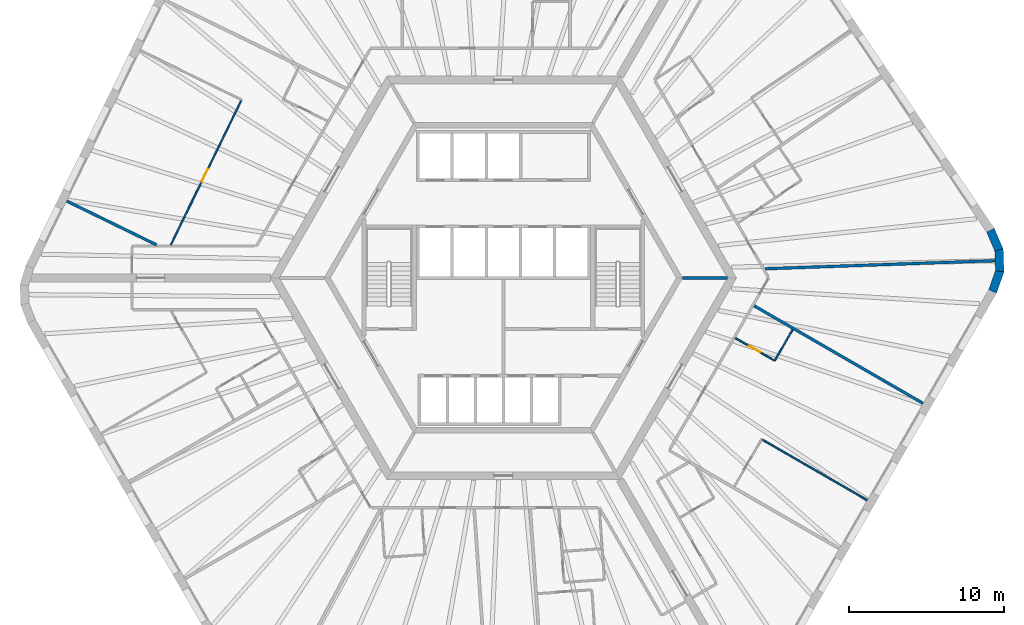
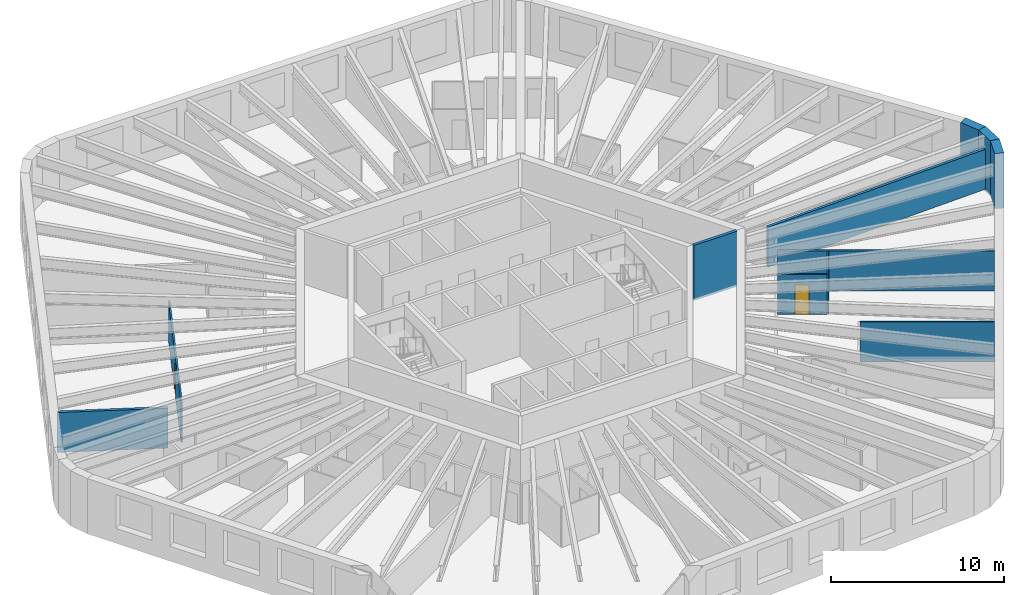
# One storey, part 6 of 10: 11 walls, 2 doors, 2 openings.
"""IFC4 building model written with IfcOpenShell, lengths in metres."""

import ifcopenshell
import ifcopenshell.guid

model = None  # the IFC model being written
_history = None  # IfcOwnerHistory: only IFC2X3 demands one
_inside = {}  # id of a spatial element -> (the spatial element, [elements in it])
_under = {}  # id of a project, library or spatial element -> (it, [spatial elements below it])
_declared = {}  # id of a project -> (the project, [libraries it declares])
_typed = {}  # id of a type object -> (the type object, [elements of that type])
_made_of = {}  # id of a material, layer set ... -> (it, [elements and type objects made of it])


def new_model(schema):
    """Start an empty IFC model of exactly this schema.

    Asked for "IFC4X3", IfcOpenShell would pick the latest addendum, in which some entities
    have other attributes; the version numbers below select the first issue.
    IFC2X3 requires an IfcOwnerHistory on every rooted entity: one is made here for all.
    """
    global model, _history
    if schema == "IFC4X3":
        model = ifcopenshell.file(schema_version=(4, 3, 0, 0))
    else:
        model = ifcopenshell.file(schema=schema)
    _inside.clear()
    _under.clear()
    _declared.clear()
    _typed.clear()
    _made_of.clear()
    _history = None
    if model.schema == "IFC2X3":
        org = make("IfcOrganization", Name="unknown")
        user = make(
            "IfcPersonAndOrganization",
            ThePerson=make("IfcPerson", FamilyName="unknown"),
            TheOrganization=org,
        )
        app = make(
            "IfcApplication",
            ApplicationDeveloper=org,
            Version="unknown",
            ApplicationFullName="unknown",
            ApplicationIdentifier="unknown",
        )
        _history = make(
            "IfcOwnerHistory",
            OwningUser=user,
            OwningApplication=app,
            ChangeAction="ADDED",
            CreationDate=0,
        )
    return model


def make(cls, **values):
    """One entity of the class cls with the attributes given. An attribute that is None is left unset."""
    return model.create_entity(
        cls, **{name: value for name, value in values.items() if value is not None}
    )


def rooted(cls, **values):
    """An entity with a GlobalId (a new one), such as an element, a storey or a relation."""
    return make(cls, GlobalId=ifcopenshell.guid.new(), OwnerHistory=_history, **values)


def si_unit(unit_type, name, prefix=None):
    """IfcSIUnit, for example si_unit("LENGTHUNIT", "METRE", prefix="MILLI")."""
    return make("IfcSIUnit", UnitType=unit_type, Prefix=prefix, Name=name)


def assignment(units):
    """IfcUnitAssignment: the units of a project."""
    return None if units is None else make("IfcUnitAssignment", Units=units)


def point(xyz):
    """IfcCartesianPoint."""
    return None if xyz is None else make("IfcCartesianPoint", Coordinates=xyz)


def direction(xyz):
    """IfcDirection."""
    return None if xyz is None else make("IfcDirection", DirectionRatios=xyz)


def frame(location, z_axis=None, x_axis=None):
    """IfcAxis2Placement3D, a coordinate frame: its origin and axes. An axis left out is left unset."""
    return make(
        "IfcAxis2Placement3D",
        Location=point(location),
        Axis=direction(z_axis),
        RefDirection=direction(x_axis),
    )


def frame_2d(location, x_axis=None):
    """IfcAxis2Placement2D, a coordinate frame in the plane: its origin and x axis."""
    return make(
        "IfcAxis2Placement2D", Location=point(location), RefDirection=direction(x_axis)
    )


def origin():
    """The frame at (0, 0, 0) with its axes left unset."""
    return frame((0.0, 0.0, 0.0))


def place(relative_to, where):
    """IfcLocalPlacement: puts the frame where relative to a parent placement (None: the world)."""
    return make(
        "IfcLocalPlacement", PlacementRelTo=relative_to, RelativePlacement=where
    )


def context(
    kind, dimensions, precision=None, world=None, true_north=None, identifier=None
):
    """IfcGeometricRepresentationContext, for example the 3D "Model" context."""
    return make(
        "IfcGeometricRepresentationContext",
        ContextIdentifier=identifier,
        ContextType=kind,
        CoordinateSpaceDimension=dimensions,
        Precision=precision,
        WorldCoordinateSystem=world,
        TrueNorth=true_north,
    )


def subcontext(parent, identifier, kind, view, scale=None):
    """IfcGeometricRepresentationSubContext, for example "Body" below "Model"."""
    return make(
        "IfcGeometricRepresentationSubContext",
        ContextIdentifier=identifier,
        ContextType=kind,
        ParentContext=parent,
        TargetScale=scale,
        TargetView=view,
    )


def project(units=None, contexts=None):
    """IfcProject with its units and contexts."""
    return rooted(
        "IfcProject",
        Name="project",
        RepresentationContexts=contexts,
        UnitsInContext=assignment(units),
    )


def spatial(cls, under=None, at=None, **own):
    """A site, building, storey or space (cls), placed at a placement, below another one or the project."""
    s = rooted(cls, ObjectPlacement=at, **own)
    if under is not None:
        _under.setdefault(under.id(), (under, []))[1].append(s)
    return s


def polyline(points):
    """IfcPolyline through the points."""
    return make("IfcPolyline", Points=[point(p) for p in points])


def profile(cls, at=None, kind="AREA", **sizes):
    """A parametric profile (cls). Its sizes go by their IFC names, for example OverallWidth=200.0."""
    return make(cls, ProfileType=kind, Position=at, **sizes)


def rectangle(**sizes):
    """IfcRectangleProfileDef."""
    return profile("IfcRectangleProfileDef", **sizes)


def outline(outer, holes=None, kind="AREA"):
    """IfcArbitraryClosedProfileDef: a profile drawn as a closed curve; with holes, ...WithVoids."""
    if holes is None:
        return make("IfcArbitraryClosedProfileDef", ProfileType=kind, OuterCurve=outer)
    return make(
        "IfcArbitraryProfileDefWithVoids",
        ProfileType=kind,
        OuterCurve=outer,
        InnerCurves=holes,
    )


def extrude(swept, where, along, depth):
    """IfcExtrudedAreaSolid: the profile swept, set in the frame where, extruded along a direction by depth."""
    return make(
        "IfcExtrudedAreaSolid",
        SweptArea=swept,
        Position=where,
        ExtrudedDirection=direction(along),
        Depth=depth,
    )


def shape(context_of_items, identifier, shape_type, items):
    """IfcShapeRepresentation: the items that make up one representation, for example the "Body"."""
    return make(
        "IfcShapeRepresentation",
        ContextOfItems=context_of_items,
        RepresentationIdentifier=identifier,
        RepresentationType=shape_type,
        Items=items,
    )


def material(Name=None, Category=None):
    """IfcMaterial."""
    return make("IfcMaterial", Name=Name, Category=Category)


def layer(
    of_material, thickness, ventilated=None, Name=None, Category=None, Priority=None
):
    """IfcMaterialLayer: one layer of a wall or slab, of a material (None: an air gap)."""
    return make(
        "IfcMaterialLayer",
        Material=of_material,
        LayerThickness=thickness,
        IsVentilated=ventilated,
        Name=Name,
        Category=Category,
        Priority=Priority,
    )


def layer_set(layers, Name=None):
    """IfcMaterialLayerSet."""
    return make("IfcMaterialLayerSet", MaterialLayers=layers, LayerSetName=Name)


def made_of(thing, what):
    """Note that an element or type object is made of a material, layer set ...; save() writes the relation."""
    if what is not None:
        _made_of.setdefault(what.id(), (what, []))[1].append(thing)
    return thing


def type_object(cls, material=None, **own):
    """A type object (cls), such as IfcWallType, which elements share."""
    return made_of(rooted(cls, **own), material)


def element(
    cls,
    number,
    at=None,
    inside=None,
    cuts=None,
    type_object=None,
    material=None,
    context=None,
    identifier="Body",
    shape_type=None,
    held_by="IfcProductDefinitionShape",
    body=None,
    shapes=None,
    **own,
):
    """One element of the class cls, such as IfcWall. Its Tag is "e" and its number.

    at: its placement. inside: the storey or other place that contains it. cuts: it is an
    opening in that element (IfcRelVoidsElement). A single representation is given by context,
    identifier, shape_type and body (its items); several are given by shapes. held_by: the class
    of the entity that holds the representations. save() writes the other relations.
    """
    e = rooted(cls, Tag="e%d" % number, ObjectPlacement=at, **own)
    if body is not None:
        shapes = [shape(context, identifier, shape_type, body)]
    if shapes is not None:
        e.Representation = make(held_by, Representations=shapes)
    if inside is not None:
        _inside.setdefault(inside.id(), (inside, []))[1].append(e)
    if cuts is not None:
        rooted(
            "IfcRelVoidsElement", RelatingBuildingElement=cuts, RelatedOpeningElement=e
        )
    if type_object is not None:
        _typed.setdefault(type_object.id(), (type_object, []))[1].append(e)
    return made_of(e, material)


def fill(opening, filler):
    """IfcRelFillsElement: the door or window that sits in an opening."""
    return rooted(
        "IfcRelFillsElement",
        RelatingOpeningElement=opening,
        RelatedBuildingElement=filler,
    )


def aggregate(whole, parts):
    """IfcRelAggregates: a whole, such as a stair, and the parts it consists of."""
    return rooted("IfcRelAggregates", RelatingObject=whole, RelatedObjects=parts)


def save(model, path):
    """Write the relations noted so far, then the file.

    IfcRelAggregates (storeys below a building ...), IfcRelContainedInSpatialStructure (elements
    in a storey), IfcRelDefinesByType, IfcRelAssociatesMaterial and IfcRelDeclares: one each for
    every whole, place, type object, material and project.
    """
    for whole, parts in _under.values():
        aggregate(whole, parts)
    for where, things in _inside.values():
        rooted(
            "IfcRelContainedInSpatialStructure",
            RelatedElements=things,
            RelatingStructure=where,
        )
    for kind, things in _typed.values():
        rooted("IfcRelDefinesByType", RelatedObjects=things, RelatingType=kind)
    for what, things in _made_of.values():
        rooted("IfcRelAssociatesMaterial", RelatedObjects=things, RelatingMaterial=what)
    for by, libraries in _declared.values():
        rooted("IfcRelDeclares", RelatingContext=by, RelatedDefinitions=libraries)
    model.write(path)


model = new_model("IFC4")

# Units and contexts
model_context = context("Model", 3, precision=1e-05, world=origin(), true_north=direction((0.0, 1.0)))
body_context = subcontext(model_context, "Body", "Model", "MODEL_VIEW")
ifc_project = project(units=[si_unit("LENGTHUNIT", "METRE"), si_unit("AREAUNIT", "SQUARE_METRE"), si_unit("VOLUMEUNIT", "CUBIC_METRE"), si_unit("PLANEANGLEUNIT", "RADIAN"), si_unit("MASSUNIT", "GRAM", prefix="KILO")], contexts=[model_context])

# Site, building, storey
site_placement = place(None, origin())
site = spatial("IfcSite", under=ifc_project, at=site_placement, CompositionType="ELEMENT")
building_placement = place(site_placement, origin())
building = spatial("IfcBuilding", under=site, at=building_placement, Name="Tarnside Tower", CompositionType="ELEMENT")
storey_placement = place(building_placement, frame((0.0, 0.0, 160.5)))
storey = spatial("IfcBuildingStorey", under=building, at=storey_placement, Name="L37", CompositionType="ELEMENT", Elevation=160.5)

# Wall
ifc_material_1 = material(Name="Gypsum board partition on steel studs", Category="steel")
ifc_layer_1 = layer(ifc_material_1, 0.10009765625)
ifc_layer_set_1 = layer_set([ifc_layer_1], Name="Bathroom wall 100")
wall_type_1 = type_object("IfcWallType", Name="Bathroom wall 100", PredefinedType="PARTITIONING", material=ifc_layer_set_1)
wall_1_placement = place(storey_placement, frame((18.629150390625, -3.333251953125, 0.0), z_axis=(0.0, 0.0, 1.0), x_axis=(-0.500015210774, -0.866016621662, 0.0)))
element("IfcWall", 1, at=wall_1_placement, inside=storey, type_object=wall_type_1, Name="Bathroom wall 11099", PredefinedType="PARTITIONING", context=body_context, shape_type="SweptSolid", body=[
    extrude(rectangle(XDim=2.31005859375, YDim=0.10009765625, at=frame_2d((1.155029296875, 0.0))), origin(), (0.0, 0.0, 1.0), 2.823486328125),
])

# Wall, opening, door
wall_2_placement = place(storey_placement, frame((17.430908203125, -5.308837890625, 0.0), z_axis=(0.0, 0.0, 1.0), x_axis=(-0.866018712932, 0.500011588718, 0.0)))
wall_2 = element("IfcWall", 2, at=wall_2_placement, inside=storey, type_object=wall_type_1, Name="Bathroom wall 11100", PredefinedType="PARTITIONING", context=body_context, shape_type="SweptSolid", body=[
    extrude(rectangle(XDim=2.875, YDim=0.10009765625, at=frame_2d((1.4375, 0.0))), origin(), (0.0, 0.0, 1.0), 2.823486328125),
])
opening_1_placement = place(wall_2_placement, frame((1.050048828125, 0.0, 0.0)))
opening_1 = element("IfcOpeningElement", 3, at=opening_1_placement, cuts=wall_2, Name="Opening D-B1", PredefinedType="OPENING", context=body_context, shape_type="SweptSolid", body=[
    extrude(rectangle(XDim=0.800048828125, YDim=2.10009765625, at=frame_2d((0.39990234375, 1.050048828125))), frame((0.0, 0.06005859375, 0.0), z_axis=(0.0, -1.0, 0.0), x_axis=(1.0, 0.0, 0.0)), (0.0, 0.0, 1.0), 0.1201171875),
])
ifc_material_2 = material(Name="Timber door leaf", Category="wood")
door_type_1 = type_object("IfcDoorType", Name="Bathroom door 800", OperationType="NOTDEFINED", PredefinedType="DOOR", material=ifc_material_2)
door_1_placement = place(opening_1_placement, origin())
door_1 = element("IfcDoor", 4, at=door_1_placement, inside=storey, type_object=door_type_1, Name="Bathroom door 11028", OperationType="SINGLE_SWING_LEFT", OverallHeight=2.10009765625, OverallWidth=0.800048828125, PredefinedType="DOOR", context=body_context, shape_type="SweptSolid", body=[
    extrude(rectangle(XDim=0.800048828125, YDim=2.10009765625, at=frame_2d((0.39990234375, 1.050048828125))), frame((0.0, 0.02490234375, 0.0), z_axis=(0.0, -1.0, 0.0), x_axis=(1.0, 0.0, 0.0)), (0.0, 0.0, 1.0), 0.050048828125),
])
fill(opening_1, door_1)

# Walls
ifc_layer_2 = layer(ifc_material_1, 0.179931640625)
ifc_layer_set_2 = layer_set([ifc_layer_2], Name="Demising wall 180 EI 60")
wall_type_2 = type_object("IfcWallType", Name="Demising wall 180 EI 60", PredefinedType="PARTITIONING", material=ifc_layer_set_2)
wall_3_placement = place(storey_placement, frame((-28.127197265625, 4.948974609375, 0.0), z_axis=(0.0, 0.0, 1.0), x_axis=(0.898795032868, -0.438369124017, 0.0)))
element("IfcWall", 5, at=wall_3_placement, inside=storey, type_object=wall_type_2, Name="Demising wall 11065", PredefinedType="PARTITIONING", context=body_context, shape_type="SweptSolid", body=[
    extrude(rectangle(XDim=6.44189453125, YDim=0.179931640625, at=frame_2d((3.220947265625, 0.0))), origin(), (0.0, 0.0, 1.0), 2.823486328125),
])
wall_4_placement = place(storey_placement, frame((27.03125, -8.080322265625, 0.0), z_axis=(0.0, 0.0, 1.0), x_axis=(-0.86602780907, 0.499995833901, 0.0)))
element("IfcWall", 6, at=wall_4_placement, inside=storey, type_object=wall_type_2, Name="Demising wall 11103", PredefinedType="PARTITIONING", context=body_context, shape_type="SweptSolid", body=[
    extrude(rectangle(XDim=12.57470703125, YDim=0.179931640625, at=frame_2d((6.287353515625, 0.0))), origin(), (0.0, 0.0, 1.0), 2.823486328125),
])
wall_5_placement = place(storey_placement, frame((31.66650390625, 1.105712890625, 0.0), z_axis=(0.0, 0.0, 1.0), x_axis=(-0.999390937365, -0.034896336667, 0.0)))
element("IfcWall", 7, at=wall_5_placement, inside=storey, type_object=wall_type_2, Name="Demising wall 11105", PredefinedType="PARTITIONING", context=body_context, shape_type="SweptSolid", body=[
    extrude(rectangle(XDim=14.8388671875, YDim=0.179931640625, at=frame_2d((7.41943359375, 0.0))), origin(), (0.0, 0.0, 1.0), 2.823486328125),
])
ifc_material_3 = material(Name="Concrete C40/50", Category="concrete")
ifc_layer_3 = layer(ifc_material_3, 0.199951171875)
ifc_layer_set_3 = layer_set([ifc_layer_3], Name="Lift shaft wall 200 C40/50")
wall_type_3 = type_object("IfcWallType", Name="Lift shaft wall 200 C40/50", PredefinedType="SHEAR", material=ifc_layer_set_3)
wall_6_placement = place(storey_placement, frame((11.547119140625, 0.0, -0.14990234375), z_axis=(0.0, 0.0, 1.0), x_axis=(1.0, 0.0, 0.0)))
element("IfcWall", 8, at=wall_6_placement, inside=storey, type_object=wall_type_3, Name="L37 core partition AR0", PredefinedType="SHEAR", context=body_context, shape_type="SweptSolid", body=[
    extrude(rectangle(XDim=2.88671875, YDim=0.199951171875, at=frame_2d((1.443359375, 0.0))), origin(), (0.0, 0.0, 1.0), 3.89990234375),
])

# Wall, opening, door
ifc_layer_4 = layer(ifc_material_1, 0.10009765625)
ifc_layer_set_4 = layer_set([ifc_layer_4], Name="Partition 100")
wall_type_4 = type_object("IfcWallType", Name="Partition 100", PredefinedType="PARTITIONING", material=ifc_layer_set_4)
wall_7_placement = place(storey_placement, frame((-16.88720703125, 11.427490234375, 0.0), z_axis=(0.0, 0.0, 1.0), x_axis=(-0.438369721011, -0.898794741696, 0.0)))
wall_7 = element("IfcWall", 9, at=wall_7_placement, inside=storey, type_object=wall_type_4, Name="Partition wall 11064", PredefinedType="PARTITIONING", context=body_context, shape_type="SweptSolid", body=[
    extrude(rectangle(XDim=10.349853515625, YDim=0.10009765625, at=frame_2d((5.1748046875, 0.0))), origin(), (0.0, 0.0, 1.0), 2.823486328125),
])
opening_2_placement = place(wall_7_placement, frame((4.89990234375, 0.0, 0.0)))
opening_2 = element("IfcOpeningElement", 10, at=opening_2_placement, cuts=wall_7, Name="Opening D-I1", PredefinedType="OPENING", context=body_context, shape_type="SweptSolid", body=[
    extrude(rectangle(XDim=0.89990234375, YDim=2.10009765625, at=frame_2d((0.449951171875, 1.050048828125))), frame((0.0, 0.06005859375, 0.0), z_axis=(0.0, -1.0, 0.0), x_axis=(1.0, 0.0, 0.0)), (0.0, 0.0, 1.0), 0.1201171875),
])
door_type_2 = type_object("IfcDoorType", Name="Internal door 900", OperationType="NOTDEFINED", PredefinedType="DOOR", material=ifc_material_2)
door_2_placement = place(opening_2_placement, origin())
door_2 = element("IfcDoor", 11, at=door_2_placement, inside=storey, type_object=door_type_2, Name="Internal door 11009", OperationType="SINGLE_SWING_LEFT", OverallHeight=2.10009765625, OverallWidth=0.89990234375, PredefinedType="DOOR", context=body_context, shape_type="SweptSolid", body=[
    extrude(rectangle(XDim=0.89990234375, YDim=2.10009765625, at=frame_2d((0.449951171875, 1.050048828125))), frame((0.0, 0.02490234375, 0.0), z_axis=(0.0, -1.0, 0.0), x_axis=(1.0, 0.0, 0.0)), (0.0, 0.0, 1.0), 0.050048828125),
])
fill(opening_2, door_2)

# Walls
wall_8_placement = place(storey_placement, frame((16.67626953125, -10.415771484375, 0.0), z_axis=(0.0, 0.0, 1.0), x_axis=(0.866034953203, -0.499983459557, 0.0)))
element("IfcWall", 12, at=wall_8_placement, inside=storey, type_object=wall_type_4, Name="Partition wall 11102", PredefinedType="PARTITIONING", context=body_context, shape_type="SweptSolid", body=[
    extrude(rectangle(XDim=7.800048828125, YDim=0.10009765625, at=frame_2d((3.89990234375, 0.0))), origin(), (0.0, 0.0, 1.0), 2.823486328125),
])
ifc_material_4 = material(Name="Facing brick", Category="masonry")
ifc_layer_5 = layer(ifc_material_4, 0.10205078125)
ifc_material_5 = material(Name="Concrete C60/75 precast", Category="concrete")
ifc_layer_6 = layer(ifc_material_5, 0.347900390625)
ifc_material_6 = material(Name="Mineral wool insulation")
ifc_layer_7 = layer(ifc_material_6, 0.10009765625)
ifc_layer_set_5 = layer_set([ifc_layer_5, ifc_layer_6, ifc_layer_7], Name="Tube wall 550 brick faced")
wall_type_5 = type_object("IfcWallType", Name="Tube wall 550 brick faced", PredefinedType="SOLIDWALL", material=ifc_layer_set_5)
wall_9_placement = place(storey_placement, frame((31.509033203125, -0.874755859375, -0.14990234375), z_axis=(0.0, 0.0, 1.0), x_axis=(0.33111537203, 0.943590276765, 0.0)))
element("IfcWall", 13, at=wall_9_placement, inside=storey, type_object=wall_type_5, Name="Tube wall L37 F5 chord 17", PredefinedType="SOLIDWALL", context=body_context, shape_type="SweptSolid", body=[
    extrude(outline(polyline([(-0.025634765625, -0.27490234375), (1.4306640625, -0.27490234375), (1.3271484375, 0.27490234375), (0.025634765625, 0.27490234375), (-0.025634765625, -0.27490234375)])), origin(), (0.0, 0.0, 1.0), 3.89990234375),
])
wall_10_placement = place(storey_placement, frame((31.965576171875, 0.42626953125, -0.14990234375), z_axis=(0.0, 0.0, 1.0), x_axis=(-0.034876908462, 0.999391615562, 0.0)))
element("IfcWall", 14, at=wall_10_placement, inside=storey, type_object=wall_type_5, Name="Tube wall L37 F5 chord 18", PredefinedType="SOLIDWALL", context=body_context, shape_type="SweptSolid", body=[
    extrude(outline(polyline([(-0.0517578125, -0.27490234375), (1.4306640625, -0.27490234375), (1.3271484375, 0.27490234375), (0.0517578125, 0.27490234375), (-0.0517578125, -0.27490234375)])), origin(), (0.0, 0.0, 1.0), 3.89990234375),
])
wall_11_placement = place(storey_placement, frame((31.91748046875, 1.804443359375, -0.14990234375), z_axis=(0.0, 0.0, 1.0), x_axis=(-0.396225741392, 0.918153125496, 0.0)))
element("IfcWall", 15, at=wall_11_placement, inside=storey, type_object=wall_type_5, Name="Tube wall L37 F5 chord 19", PredefinedType="SOLIDWALL", context=body_context, shape_type="SweptSolid", body=[
    extrude(outline(polyline([(-0.0517578125, -0.27490234375), (1.404541015625, -0.27490234375), (1.353271484375, 0.27490234375), (0.0517578125, 0.27490234375), (-0.0517578125, -0.27490234375)])), origin(), (0.0, 0.0, 1.0), 3.89990234375),
])

save(model, "model.ifc")
